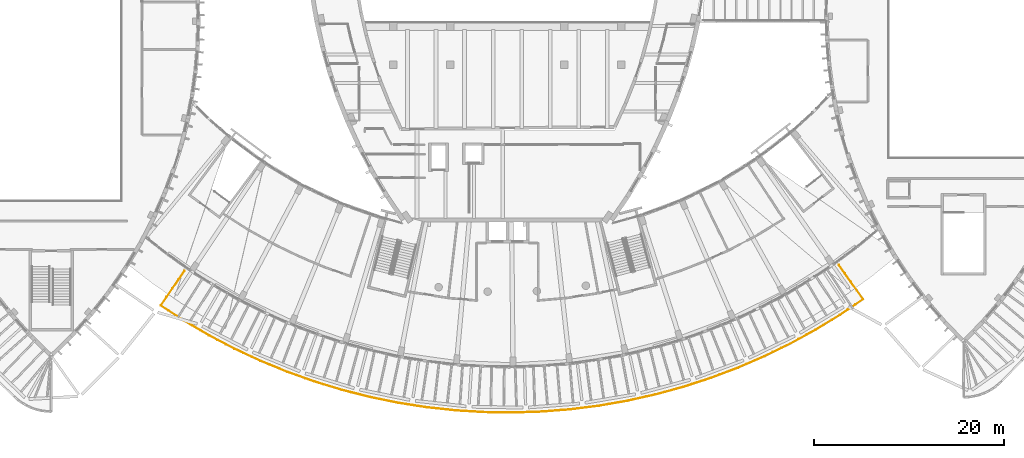
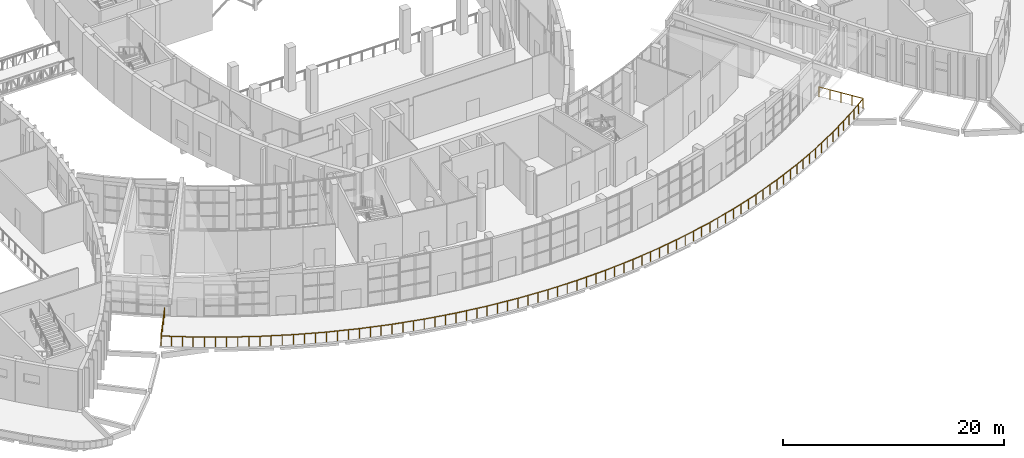
# One storey, part 84 of 93: 1 railing.
"""IFC4 building model written with IfcOpenShell, lengths in metres."""

from ifc_helpers import new_model, si_unit, direction, frame, origin, origin_2d, place, context, subcontext, project, spatial, circle, extrude, material, type_object, element, save


model = new_model("IFC4")

# Units and contexts
model_context = context("Model", 3, precision=1e-05, world=origin(), true_north=direction((0.0, 1.0)))
body_context = subcontext(model_context, "Body", "Model", "MODEL_VIEW")
ifc_project = project(units=[si_unit("LENGTHUNIT", "METRE"), si_unit("AREAUNIT", "SQUARE_METRE"), si_unit("VOLUMEUNIT", "CUBIC_METRE"), si_unit("PLANEANGLEUNIT", "RADIAN"), si_unit("MASSUNIT", "GRAM", prefix="KILO")], contexts=[model_context])

# Site, building, storey
site_placement = place(None, origin())
site = spatial("IfcSite", under=ifc_project, at=site_placement, CompositionType="ELEMENT")
building_placement = place(site_placement, origin())
building = spatial("IfcBuilding", under=site, at=building_placement, Name="Tide Square Theatres", CompositionType="ELEMENT")
storey_placement = place(building_placement, frame((0.0, 0.0, 5.39990234375)))
storey = spatial("IfcBuildingStorey", under=building, at=storey_placement, Name="L01", CompositionType="ELEMENT", Elevation=5.39990234375)

# Railing
ifc_material = material(Name="Painted steel", Category="steel")
railing_type = type_object("IfcRailingType", Name="Steel guard 1100", PredefinedType="GUARDRAIL", material=ifc_material)
railing_placement = place(storey_placement, frame((118.88525390625, 18.828125, 0.0)))
element("IfcRailing", 1, at=railing_placement, inside=storey, type_object=railing_type, Name="Veranda guard", PredefinedType="GUARDRAIL", context=body_context, shape_type="SweptSolid", body=[
    extrude(circle(Radius=0.02392578125, at=origin_2d()), frame((0.0, 0.0, 1.076171875), z_axis=(0.580001070095, -0.814615712277, 0.0), x_axis=(0.814615712277, 0.580001070095, 0.0)), (0.0, 0.0, 1.0), 4.407958984375),
    extrude(circle(Radius=0.02392578125, at=origin_2d()), frame((2.556640625, -3.5908203125, 1.076171875), z_axis=(-0.828008425961, -0.560715655691, 0.0), x_axis=(0.560715655691, -0.828008425961, 0.0)), (0.0, 0.0, 1.0), 2.933837890625),
    extrude(circle(Radius=0.02392578125, at=origin_2d()), frame((0.12744140625, -5.23583984375, 1.076171875), z_axis=(-0.853397195851, -0.521261187998, 0.0), x_axis=(0.521261187998, -0.853397195851, 0.0)), (0.0, 0.0, 1.0), 3.03369140625),
    extrude(circle(Radius=0.02392578125, at=origin_2d()), frame((-2.46142578125, -6.817138671875, 1.076171875), z_axis=(-0.876835392909, -0.480790696397, 0.0), x_axis=(0.480790696397, -0.876835392909, 0.0)), (0.0, 0.0, 1.0), 3.033447265625),
    extrude(circle(Radius=0.02392578125, at=origin_2d()), frame((-5.121337890625, -8.275634765625, 1.076171875), z_axis=(-0.89849370604, -0.438986400936, 0.0), x_axis=(0.438986400936, -0.89849370604, 0.0)), (0.0, 0.0, 1.0), 3.03369140625),
    extrude(circle(Radius=0.02392578125, at=origin_2d()), frame((-7.84716796875, -9.607421875, 1.076171875), z_axis=(-0.918025736335, -0.396520803272, 0.0), x_axis=(0.396520803272, -0.918025736335, 0.0)), (0.0, 0.0, 1.0), 3.03369140625),
    extrude(circle(Radius=0.02392578125, at=origin_2d()), frame((-10.632080078125, -10.810302734375, 1.076171875), z_axis=(-0.935606232916, -0.353045290195, 0.0), x_axis=(0.353045290195, -0.935606232916, 0.0)), (0.0, 0.0, 1.0), 3.03369140625),
    extrude(circle(Radius=0.02392578125, at=origin_2d()), frame((-13.470458984375, -11.88134765625, 1.076171875), z_axis=(-0.951132782757, -0.30878217171, 0.0), x_axis=(0.30878217171, -0.951132782757, 0.0)), (0.0, 0.0, 1.0), 3.03369140625),
    extrude(circle(Radius=0.02392578125, at=origin_2d()), frame((-16.35595703125, -12.818115234375, 1.076171875), z_axis=(-0.964572267622, -0.263818764561, 0.0), x_axis=(0.263818764561, -0.964572267622, 0.0)), (0.0, 0.0, 1.0), 3.033447265625),
    extrude(circle(Radius=0.02392578125, at=origin_2d()), frame((-19.281982421875, -13.618408203125, 1.076171875), z_axis=(-0.975873604502, -0.218336227034, 0.0), x_axis=(0.218336227034, -0.975873604502, 0.0)), (0.0, 0.0, 1.0), 3.03369140625),
    extrude(circle(Radius=0.02392578125, at=origin_2d()), frame((-22.242431640625, -14.28076171875, 1.076171875), z_axis=(-0.985030467156, -0.172380331752, 0.0), x_axis=(0.172380331752, -0.985030467156, 0.0)), (0.0, 0.0, 1.0), 3.03369140625),
    extrude(circle(Radius=0.02392578125, at=origin_2d()), frame((-25.230712890625, -14.8037109375, 1.076171875), z_axis=(-0.992027023149, -0.126025336112, 0.0), x_axis=(0.126025336112, -0.992027023149, 0.0)), (0.0, 0.0, 1.0), 3.03369140625),
    extrude(circle(Radius=0.02392578125, at=origin_2d()), frame((-28.240234375, -15.18603515625, 1.076171875), z_axis=(-0.996846422393, -0.079354963061, 0.0), x_axis=(0.079354963061, -0.996846422393, 0.0)), (0.0, 0.0, 1.0), 3.033447265625),
    extrude(circle(Radius=0.02392578125, at=origin_2d()), frame((-31.26416015625, -15.4267578125, 1.076171875), z_axis=(-0.999471378199, -0.032510985249, 0.0), x_axis=(0.032510985249, -0.999471378199, 0.0)), (0.0, 0.0, 1.0), 3.033935546875),
    extrude(circle(Radius=0.02392578125, at=origin_2d()), frame((-34.29638671875, -15.525390625, 1.076171875), z_axis=(-0.999897382774, 0.014325638613, 0.0), x_axis=(-0.014325638613, -0.999897382774, 0.0)), (0.0, 0.0, 1.0), 3.033447265625),
    extrude(circle(Radius=0.02392578125, at=origin_2d()), frame((-37.32958984375, -15.48193359375, 1.076171875), z_axis=(-0.998123010942, 0.061240958746, 0.0), x_axis=(-0.061240958746, -0.998123010942, 0.0)), (0.0, 0.0, 1.0), 3.03369140625),
    extrude(circle(Radius=0.02392578125, at=origin_2d()), frame((-40.357666015625, -15.296142578125, 1.076171875), z_axis=(-0.994159301548, 0.107922579404, 0.0), x_axis=(-0.107922579404, -0.994159301548, 0.0)), (0.0, 0.0, 1.0), 3.03369140625),
    extrude(circle(Radius=0.02392578125, at=origin_2d()), frame((-43.37353515625, -14.96875, 1.076171875), z_axis=(-0.988015485804, 0.154354785515, 0.0), x_axis=(-0.154354785515, -0.988015485804, 0.0)), (0.0, 0.0, 1.0), 3.03369140625),
    extrude(circle(Radius=0.02392578125, at=origin_2d()), frame((-46.370849609375, -14.50048828125, 1.076171875), z_axis=(-0.979685477231, 0.200540184759, 0.0), x_axis=(-0.200540184759, -0.979685477231, 0.0)), (0.0, 0.0, 1.0), 3.03369140625),
    extrude(circle(Radius=0.02392578125, at=origin_2d()), frame((-49.343017578125, -13.89208984375, 1.076171875), z_axis=(-0.969202724039, 0.246264247742, 0.0), x_axis=(-0.246264247742, -0.969202724039, 0.0)), (0.0, 0.0, 1.0), 3.03369140625),
    extrude(circle(Radius=0.02392578125, at=origin_2d()), frame((-52.283203125, -13.14501953125, 1.076171875), z_axis=(-0.956594896092, 0.291421009486, 0.0), x_axis=(-0.291421009486, -0.956594896092, 0.0)), (0.0, 0.0, 1.0), 3.033447265625),
    extrude(circle(Radius=0.02392578125, at=origin_2d()), frame((-55.18505859375, -12.260986328125, 1.076171875), z_axis=(-0.941894755637, 0.335908126284, 0.0), x_axis=(-0.335908126284, -0.941894755637, 0.0)), (0.0, 0.0, 1.0), 3.03369140625),
    extrude(circle(Radius=0.02392578125, at=origin_2d()), frame((-58.04248046875, -11.241943359375, 1.076171875), z_axis=(-0.925109187342, 0.379701187114, 0.0), x_axis=(-0.379701187114, -0.925109187342, 0.0)), (0.0, 0.0, 1.0), 3.03369140625),
    extrude(circle(Radius=0.02392578125, at=origin_2d()), frame((-60.848876953125, -10.090087890625, 1.076171875), z_axis=(-0.906294127147, 0.422647554233, 0.0), x_axis=(-0.422647554233, -0.906294127147, 0.0)), (0.0, 0.0, 1.0), 3.03369140625),
    extrude(circle(Radius=0.02392578125, at=origin_2d()), frame((-63.598388671875, -8.807861328125, 1.076171875), z_axis=(-0.885483174911, 0.464671439783, 0.0), x_axis=(-0.464671439783, -0.885483174911, 0.0)), (0.0, 0.0, 1.0), 3.03369140625),
    extrude(circle(Radius=0.02392578125, at=origin_2d()), frame((-66.28466796875, -7.398193359375, 1.076171875), z_axis=(-0.862702812862, 0.505711238435, 0.0), x_axis=(-0.505711238435, -0.862702812862, 0.0)), (0.0, 0.0, 1.0), 3.03369140625),
    extrude(circle(Radius=0.02392578125, at=origin_2d()), frame((-68.90185546875, -5.864013671875, 1.076171875), z_axis=(-0.83808215383, 0.545544043531, 0.0), x_axis=(-0.545544043531, -0.83808215383, 0.0)), (0.0, 0.0, 1.0), 2.93359375),
    extrude(circle(Radius=0.02392578125, at=origin_2d()), frame((-71.3603515625, -4.263671875, 1.076171875), z_axis=(0.565045120963, 0.825060004652, 0.0), x_axis=(-0.825060004652, 0.565045120963, 0.0)), (0.0, 0.0, 1.0), 4.409423828125),
    extrude(circle(Radius=0.02099609375, at=origin_2d()), origin(), (0.0, 0.0, 1.0), 1.052001953125),
    extrude(circle(Radius=0.02099609375, at=origin_2d()), frame((0.63916015625, -0.897705078125, 0.0)), (0.0, 0.0, 1.0), 1.052001953125),
    extrude(circle(Radius=0.02099609375, at=origin_2d()), frame((1.2783203125, -1.79541015625, 0.0)), (0.0, 0.0, 1.0), 1.052001953125),
    extrude(circle(Radius=0.02099609375, at=origin_2d()), frame((1.91748046875, -2.693115234375, 0.0)), (0.0, 0.0, 1.0), 1.052001953125),
    extrude(circle(Radius=0.02099609375, at=origin_2d()), frame((2.556640625, -3.5908203125, 0.0)), (0.0, 0.0, 1.0), 1.052001953125),
    extrude(circle(Radius=0.02099609375, at=origin_2d()), frame((1.746826171875, -4.13916015625, 0.0)), (0.0, 0.0, 1.0), 1.052001953125),
    extrude(circle(Radius=0.02099609375, at=origin_2d()), frame((0.937255859375, -4.6875, 0.0)), (0.0, 0.0, 1.0), 1.052001953125),
    extrude(circle(Radius=0.02099609375, at=origin_2d()), frame((0.12744140625, -5.23583984375, 0.0)), (0.0, 0.0, 1.0), 1.052001953125),
    extrude(circle(Radius=0.02099609375, at=origin_2d()), frame((-0.735595703125, -5.762939453125, 0.0)), (0.0, 0.0, 1.0), 1.052001953125),
    extrude(circle(Radius=0.02099609375, at=origin_2d()), frame((-1.598388671875, -6.2900390625, 0.0)), (0.0, 0.0, 1.0), 1.052001953125),
    extrude(circle(Radius=0.02099609375, at=origin_2d()), frame((-2.46142578125, -6.817138671875, 0.0)), (0.0, 0.0, 1.0), 1.052001953125),
    extrude(circle(Radius=0.02099609375, at=origin_2d()), frame((-3.34814453125, -7.30322265625, 0.0)), (0.0, 0.0, 1.0), 1.052001953125),
    extrude(circle(Radius=0.02099609375, at=origin_2d()), frame((-4.234619140625, -7.78955078125, 0.0)), (0.0, 0.0, 1.0), 1.052001953125),
    extrude(circle(Radius=0.02099609375, at=origin_2d()), frame((-5.121337890625, -8.275634765625, 0.0)), (0.0, 0.0, 1.0), 1.052001953125),
    extrude(circle(Radius=0.02099609375, at=origin_2d()), frame((-6.030029296875, -8.719482421875, 0.0)), (0.0, 0.0, 1.0), 1.052001953125),
    extrude(circle(Radius=0.02099609375, at=origin_2d()), frame((-6.9384765625, -9.16357421875, 0.0)), (0.0, 0.0, 1.0), 1.052001953125),
    extrude(circle(Radius=0.02099609375, at=origin_2d()), frame((-7.84716796875, -9.607421875, 0.0)), (0.0, 0.0, 1.0), 1.052001953125),
    extrude(circle(Radius=0.02099609375, at=origin_2d()), frame((-8.775390625, -10.00830078125, 0.0)), (0.0, 0.0, 1.0), 1.052001953125),
    extrude(circle(Radius=0.02099609375, at=origin_2d()), frame((-9.703857421875, -10.409423828125, 0.0)), (0.0, 0.0, 1.0), 1.052001953125),
    extrude(circle(Radius=0.02099609375, at=origin_2d()), frame((-10.632080078125, -10.810302734375, 0.0)), (0.0, 0.0, 1.0), 1.052001953125),
    extrude(circle(Radius=0.02099609375, at=origin_2d()), frame((-11.578125, -11.167236328125, 0.0)), (0.0, 0.0, 1.0), 1.052001953125),
    extrude(circle(Radius=0.02099609375, at=origin_2d()), frame((-12.5244140625, -11.5244140625, 0.0)), (0.0, 0.0, 1.0), 1.052001953125),
    extrude(circle(Radius=0.02099609375, at=origin_2d()), frame((-13.470458984375, -11.88134765625, 0.0)), (0.0, 0.0, 1.0), 1.052001953125),
    extrude(circle(Radius=0.02099609375, at=origin_2d()), frame((-14.432373046875, -12.193603515625, 0.0)), (0.0, 0.0, 1.0), 1.052001953125),
    extrude(circle(Radius=0.02099609375, at=origin_2d()), frame((-15.39404296875, -12.505859375, 0.0)), (0.0, 0.0, 1.0), 1.052001953125),
    extrude(circle(Radius=0.02099609375, at=origin_2d()), frame((-16.35595703125, -12.818115234375, 0.0)), (0.0, 0.0, 1.0), 1.052001953125),
    extrude(circle(Radius=0.02099609375, at=origin_2d()), frame((-17.331298828125, -13.0849609375, 0.0)), (0.0, 0.0, 1.0), 1.052001953125),
    extrude(circle(Radius=0.02099609375, at=origin_2d()), frame((-18.306640625, -13.3515625, 0.0)), (0.0, 0.0, 1.0), 1.052001953125),
    extrude(circle(Radius=0.02099609375, at=origin_2d()), frame((-19.281982421875, -13.618408203125, 0.0)), (0.0, 0.0, 1.0), 1.052001953125),
    extrude(circle(Radius=0.02099609375, at=origin_2d()), frame((-20.268798828125, -13.839111328125, 0.0)), (0.0, 0.0, 1.0), 1.052001953125),
    extrude(circle(Radius=0.02099609375, at=origin_2d()), frame((-21.255615234375, -14.06005859375, 0.0)), (0.0, 0.0, 1.0), 1.052001953125),
    extrude(circle(Radius=0.02099609375, at=origin_2d()), frame((-22.242431640625, -14.28076171875, 0.0)), (0.0, 0.0, 1.0), 1.052001953125),
    extrude(circle(Radius=0.02099609375, at=origin_2d()), frame((-23.238525390625, -14.455078125, 0.0)), (0.0, 0.0, 1.0), 1.052001953125),
    extrude(circle(Radius=0.02099609375, at=origin_2d()), frame((-24.234619140625, -14.62939453125, 0.0)), (0.0, 0.0, 1.0), 1.052001953125),
    extrude(circle(Radius=0.02099609375, at=origin_2d()), frame((-25.230712890625, -14.8037109375, 0.0)), (0.0, 0.0, 1.0), 1.052001953125),
    extrude(circle(Radius=0.02099609375, at=origin_2d()), frame((-26.23388671875, -14.93115234375, 0.0)), (0.0, 0.0, 1.0), 1.052001953125),
    extrude(circle(Radius=0.02099609375, at=origin_2d()), frame((-27.237060546875, -15.05859375, 0.0)), (0.0, 0.0, 1.0), 1.052001953125),
    extrude(circle(Radius=0.02099609375, at=origin_2d()), frame((-28.240234375, -15.18603515625, 0.0)), (0.0, 0.0, 1.0), 1.052001953125),
    extrude(circle(Radius=0.02099609375, at=origin_2d()), frame((-29.248291015625, -15.266357421875, 0.0)), (0.0, 0.0, 1.0), 1.052001953125),
    extrude(circle(Radius=0.02099609375, at=origin_2d()), frame((-30.256103515625, -15.346435546875, 0.0)), (0.0, 0.0, 1.0), 1.052001953125),
    extrude(circle(Radius=0.02099609375, at=origin_2d()), frame((-31.26416015625, -15.4267578125, 0.0)), (0.0, 0.0, 1.0), 1.052001953125),
    extrude(circle(Radius=0.02099609375, at=origin_2d()), frame((-32.27490234375, -15.459716796875, 0.0)), (0.0, 0.0, 1.0), 1.052001953125),
    extrude(circle(Radius=0.02099609375, at=origin_2d()), frame((-33.28564453125, -15.492431640625, 0.0)), (0.0, 0.0, 1.0), 1.052001953125),
    extrude(circle(Radius=0.02099609375, at=origin_2d()), frame((-34.29638671875, -15.525390625, 0.0)), (0.0, 0.0, 1.0), 1.052001953125),
    extrude(circle(Radius=0.02099609375, at=origin_2d()), frame((-35.307373046875, -15.510986328125, 0.0)), (0.0, 0.0, 1.0), 1.052001953125),
    extrude(circle(Radius=0.02099609375, at=origin_2d()), frame((-36.318603515625, -15.496337890625, 0.0)), (0.0, 0.0, 1.0), 1.052001953125),
    extrude(circle(Radius=0.02099609375, at=origin_2d()), frame((-37.32958984375, -15.48193359375, 0.0)), (0.0, 0.0, 1.0), 1.052001953125),
    extrude(circle(Radius=0.02099609375, at=origin_2d()), frame((-38.3388671875, -15.419921875, 0.0)), (0.0, 0.0, 1.0), 1.052001953125),
    extrude(circle(Radius=0.02099609375, at=origin_2d()), frame((-39.348388671875, -15.358154296875, 0.0)), (0.0, 0.0, 1.0), 1.052001953125),
    extrude(circle(Radius=0.02099609375, at=origin_2d()), frame((-40.357666015625, -15.296142578125, 0.0)), (0.0, 0.0, 1.0), 1.052001953125),
    extrude(circle(Radius=0.02099609375, at=origin_2d()), frame((-41.363037109375, -15.18701171875, 0.0)), (0.0, 0.0, 1.0), 1.052001953125),
    extrude(circle(Radius=0.02099609375, at=origin_2d()), frame((-42.3681640625, -15.077880859375, 0.0)), (0.0, 0.0, 1.0), 1.052001953125),
    extrude(circle(Radius=0.02099609375, at=origin_2d()), frame((-43.37353515625, -14.96875, 0.0)), (0.0, 0.0, 1.0), 1.052001953125),
    extrude(circle(Radius=0.02099609375, at=origin_2d()), frame((-44.37255859375, -14.812744140625, 0.0)), (0.0, 0.0, 1.0), 1.052001953125),
    extrude(circle(Radius=0.02099609375, at=origin_2d()), frame((-45.371826171875, -14.656494140625, 0.0)), (0.0, 0.0, 1.0), 1.052001953125),
    extrude(circle(Radius=0.02099609375, at=origin_2d()), frame((-46.370849609375, -14.50048828125, 0.0)), (0.0, 0.0, 1.0), 1.052001953125),
    extrude(circle(Radius=0.02099609375, at=origin_2d()), frame((-47.361572265625, -14.297607421875, 0.0)), (0.0, 0.0, 1.0), 1.052001953125),
    extrude(circle(Radius=0.02099609375, at=origin_2d()), frame((-48.352294921875, -14.094970703125, 0.0)), (0.0, 0.0, 1.0), 1.052001953125),
    extrude(circle(Radius=0.02099609375, at=origin_2d()), frame((-49.343017578125, -13.89208984375, 0.0)), (0.0, 0.0, 1.0), 1.052001953125),
    extrude(circle(Radius=0.02099609375, at=origin_2d()), frame((-50.322998046875, -13.64306640625, 0.0)), (0.0, 0.0, 1.0), 1.052001953125),
    extrude(circle(Radius=0.02099609375, at=origin_2d()), frame((-51.30322265625, -13.39404296875, 0.0)), (0.0, 0.0, 1.0), 1.052001953125),
    extrude(circle(Radius=0.02099609375, at=origin_2d()), frame((-52.283203125, -13.14501953125, 0.0)), (0.0, 0.0, 1.0), 1.052001953125),
    extrude(circle(Radius=0.02099609375, at=origin_2d()), frame((-53.25048828125, -12.850341796875, 0.0)), (0.0, 0.0, 1.0), 1.052001953125),
    extrude(circle(Radius=0.02099609375, at=origin_2d()), frame((-54.2177734375, -12.5556640625, 0.0)), (0.0, 0.0, 1.0), 1.052001953125),
    extrude(circle(Radius=0.02099609375, at=origin_2d()), frame((-55.18505859375, -12.260986328125, 0.0)), (0.0, 0.0, 1.0), 1.052001953125),
    extrude(circle(Radius=0.02099609375, at=origin_2d()), frame((-56.137451171875, -11.92138671875, 0.0)), (0.0, 0.0, 1.0), 1.052001953125),
    extrude(circle(Radius=0.02099609375, at=origin_2d()), frame((-57.090087890625, -11.58154296875, 0.0)), (0.0, 0.0, 1.0), 1.052001953125),
    extrude(circle(Radius=0.02099609375, at=origin_2d()), frame((-58.04248046875, -11.241943359375, 0.0)), (0.0, 0.0, 1.0), 1.052001953125),
    extrude(circle(Radius=0.02099609375, at=origin_2d()), frame((-58.97802734375, -10.85791015625, 0.0)), (0.0, 0.0, 1.0), 1.052001953125),
    extrude(circle(Radius=0.02099609375, at=origin_2d()), frame((-59.913330078125, -10.47412109375, 0.0)), (0.0, 0.0, 1.0), 1.052001953125),
    extrude(circle(Radius=0.02099609375, at=origin_2d()), frame((-60.848876953125, -10.090087890625, 0.0)), (0.0, 0.0, 1.0), 1.052001953125),
    extrude(circle(Radius=0.02099609375, at=origin_2d()), frame((-61.765380859375, -9.66259765625, 0.0)), (0.0, 0.0, 1.0), 1.052001953125),
    extrude(circle(Radius=0.02099609375, at=origin_2d()), frame((-62.681884765625, -9.2353515625, 0.0)), (0.0, 0.0, 1.0), 1.052001953125),
    extrude(circle(Radius=0.02099609375, at=origin_2d()), frame((-63.598388671875, -8.807861328125, 0.0)), (0.0, 0.0, 1.0), 1.052001953125),
    extrude(circle(Radius=0.02099609375, at=origin_2d()), frame((-64.493896484375, -8.337890625, 0.0)), (0.0, 0.0, 1.0), 1.052001953125),
    extrude(circle(Radius=0.02099609375, at=origin_2d()), frame((-65.38916015625, -7.8681640625, 0.0)), (0.0, 0.0, 1.0), 1.052001953125),
    extrude(circle(Radius=0.02099609375, at=origin_2d()), frame((-66.28466796875, -7.398193359375, 0.0)), (0.0, 0.0, 1.0), 1.052001953125),
    extrude(circle(Radius=0.02099609375, at=origin_2d()), frame((-67.156982421875, -6.88671875, 0.0)), (0.0, 0.0, 1.0), 1.052001953125),
    extrude(circle(Radius=0.02099609375, at=origin_2d()), frame((-68.029541015625, -6.37548828125, 0.0)), (0.0, 0.0, 1.0), 1.052001953125),
    extrude(circle(Radius=0.02099609375, at=origin_2d()), frame((-68.90185546875, -5.864013671875, 0.0)), (0.0, 0.0, 1.0), 1.052001953125),
    extrude(circle(Radius=0.02099609375, at=origin_2d()), frame((-69.721435546875, -5.33056640625, 0.0)), (0.0, 0.0, 1.0), 1.052001953125),
    extrude(circle(Radius=0.02099609375, at=origin_2d()), frame((-70.540771484375, -4.797119140625, 0.0)), (0.0, 0.0, 1.0), 1.052001953125),
    extrude(circle(Radius=0.02099609375, at=origin_2d()), frame((-71.3603515625, -4.263671875, 0.0)), (0.0, 0.0, 1.0), 1.052001953125),
    extrude(circle(Radius=0.02099609375, at=origin_2d()), frame((-70.737548828125, -3.354248046875, 0.0)), (0.0, 0.0, 1.0), 1.052001953125),
    extrude(circle(Radius=0.02099609375, at=origin_2d()), frame((-70.11474609375, -2.44482421875, 0.0)), (0.0, 0.0, 1.0), 1.052001953125),
    extrude(circle(Radius=0.02099609375, at=origin_2d()), frame((-69.49169921875, -1.53515625, 0.0)), (0.0, 0.0, 1.0), 1.052001953125),
    extrude(circle(Radius=0.02099609375, at=origin_2d()), frame((-68.868896484375, -0.625732421875, 0.0)), (0.0, 0.0, 1.0), 1.052001953125),
])

save(model, "model.ifc")
